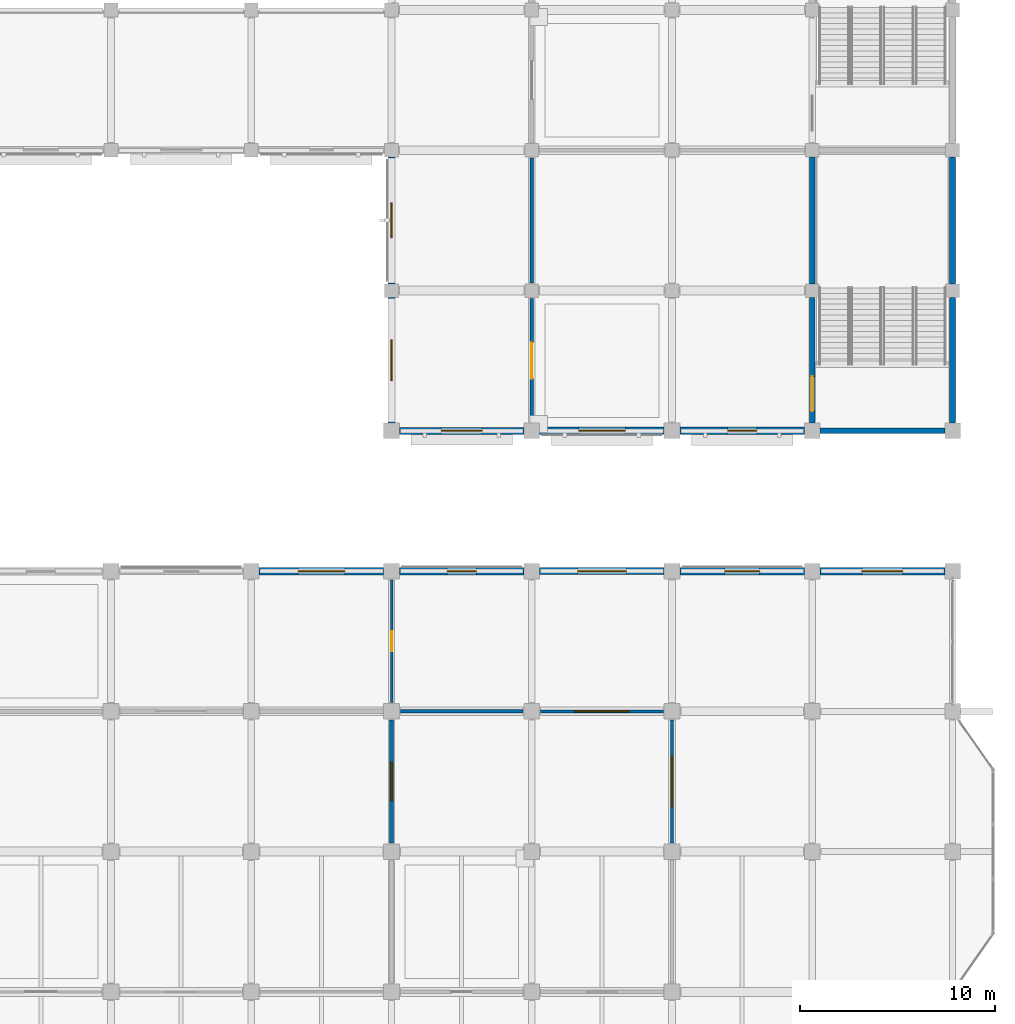
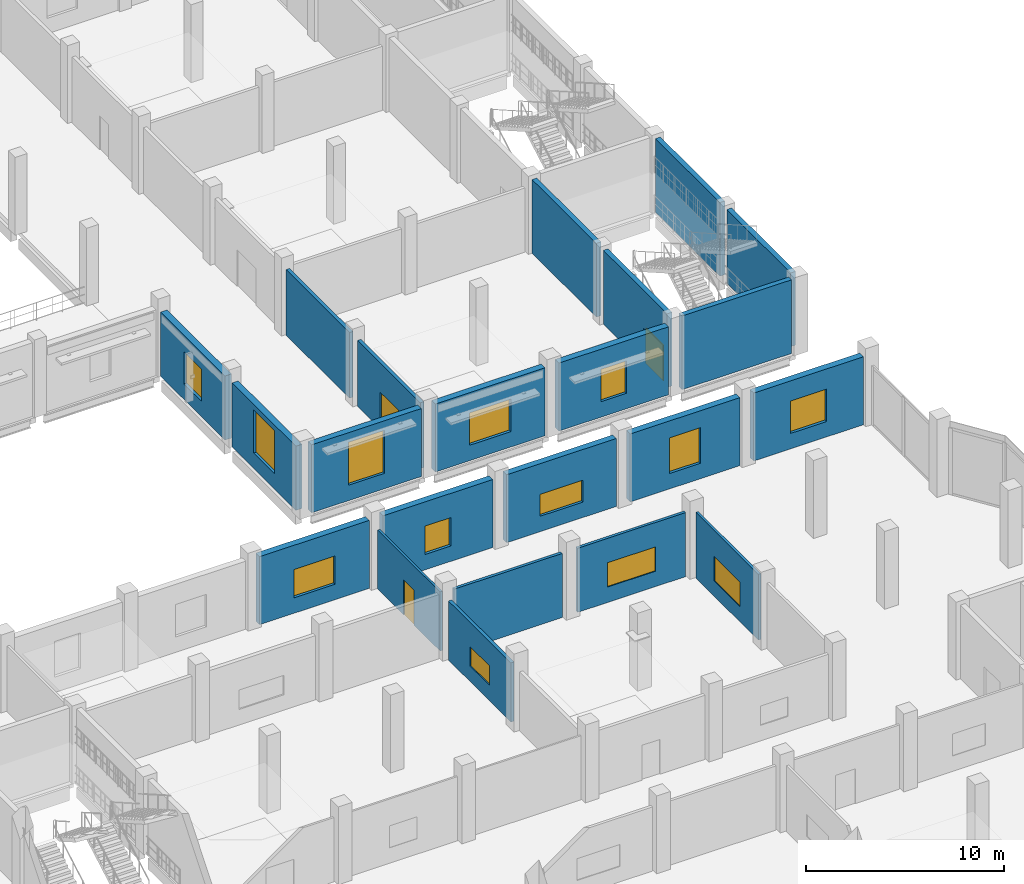
# One storey, part 70 of 99: 22 walls, 13 windows, 3 doors, 16 openings.
"""IFC4 building model written with IfcOpenShell, lengths in metres."""

from ifc_helpers import new_model, si_unit, direction, frame, frame_2d, origin, place, context, subcontext, project, spatial, rectangle, extrude, material, layer, layer_set, type_object, element, fill, save


model = new_model("IFC4")

# Units and contexts
model_context = context("Model", 3, precision=1e-05, world=origin(), true_north=direction((0.0, 1.0)))
body_context = subcontext(model_context, "Body", "Model", "MODEL_VIEW")
ifc_project = project(units=[si_unit("LENGTHUNIT", "METRE"), si_unit("AREAUNIT", "SQUARE_METRE"), si_unit("VOLUMEUNIT", "CUBIC_METRE"), si_unit("PLANEANGLEUNIT", "RADIAN"), si_unit("MASSUNIT", "GRAM", prefix="KILO")], contexts=[model_context])

# Site, building, storey
site_placement = place(None, origin())
site = spatial("IfcSite", under=ifc_project, at=site_placement, CompositionType="ELEMENT")
building_placement = place(site_placement, origin())
building = spatial("IfcBuilding", under=site, at=building_placement, Name="Vesperath Aquatics Centre", CompositionType="ELEMENT")
storey_placement = place(building_placement, frame((0.0, 0.0, 5.39990234375)))
storey = spatial("IfcBuildingStorey", under=building, at=storey_placement, Name="L01", CompositionType="ELEMENT", Elevation=5.39990234375)

# Wall, opening, window
ifc_material_1 = material(Name="Red-terracotta brick insulated cavity wall", Category="masonry")
ifc_layer_1 = layer(ifc_material_1, 0.3798828125)
ifc_layer_set_1 = layer_set([ifc_layer_1], Name="Red-terracotta brick insulated cavity wall")
wall_type_1 = type_object("IfcWallType", Name="WL-EW02", PredefinedType="SOLIDWALL", material=ifc_layer_set_1)
wall_1_placement = place(storey_placement, frame((137.199951171875, 43.199951171875, 0.0), z_axis=(0.0, 0.0, 1.0), x_axis=(1.0, 0.0, 0.0)))
wall_1 = element("IfcWall", 1, at=wall_1_placement, inside=storey, type_object=wall_type_1, Name="Exterior Wall EW02 L01_N_19_06", PredefinedType="SOLIDWALL", context=body_context, shape_type="SweptSolid", body=[
    extrude(rectangle(XDim=6.400146484375, YDim=0.3798828125, at=frame_2d((3.2001953125, 0.0))), origin(), (0.0, 0.0, 1.0), 4.190185546875),
])
opening_1_placement = place(wall_1_placement, frame((2.0, 0.0, 0.949951171875)))
opening_1 = element("IfcOpeningElement", 2, at=opening_1_placement, cuts=wall_1, Name="Opening W10", PredefinedType="OPENING", context=body_context, shape_type="SweptSolid", body=[
    extrude(rectangle(XDim=2.39990234375, YDim=1.75, at=frame_2d((1.199951171875, 0.875))), frame((0.0, 0.204833984375, 0.0), z_axis=(0.0, -1.0, 0.0), x_axis=(1.0, 0.0, 0.0)), (0.0, 0.0, 1.0), 0.40966796875),
])
ifc_material_2 = material(Name="Thermally broken aluminium triple-glazed window", Category="aluminium")
window_type_1 = type_object("IfcWindowType", Name="WN-W10", PartitioningType="SINGLE_PANEL", PredefinedType="WINDOW", material=ifc_material_2)
window_1_placement = place(opening_1_placement, origin())
window_1 = element("IfcWindow", 3, at=window_1_placement, inside=storey, type_object=window_type_1, Name="Deep-Reveal Casement Window W10 L01_N_19_06", OverallHeight=1.75, OverallWidth=2.39990234375, PartitioningType="SINGLE_PANEL", PredefinedType="WINDOW", context=body_context, shape_type="SweptSolid", body=[
    extrude(rectangle(XDim=2.39990234375, YDim=1.75, at=frame_2d((1.199951171875, 0.875))), frame((0.0, 0.030029296875, 0.0), z_axis=(0.0, -1.0, 0.0), x_axis=(1.0, 0.0, 0.0)), (0.0, 0.0, 1.0), 0.06005859375),
])
fill(opening_1, window_1)

wall_2_placement = place(storey_placement, frame((144.39990234375, 43.199951171875, 0.0), z_axis=(0.0, 0.0, 1.0), x_axis=(1.0, 0.0, 0.0)))
wall_2 = element("IfcWall", 4, at=wall_2_placement, inside=storey, type_object=wall_type_1, Name="Exterior Wall EW02 L01_N_20_06", PredefinedType="SOLIDWALL", context=body_context, shape_type="SweptSolid", body=[
    extrude(rectangle(XDim=6.400146484375, YDim=0.3798828125, at=frame_2d((3.2001953125, 0.0))), origin(), (0.0, 0.0, 1.0), 4.190185546875),
])
opening_2_placement = place(wall_2_placement, frame((2.449951171875, 0.0, 0.949951171875)))
opening_2 = element("IfcOpeningElement", 5, at=opening_2_placement, cuts=wall_2, Name="Opening W13", PredefinedType="OPENING", context=body_context, shape_type="SweptSolid", body=[
    extrude(rectangle(XDim=1.5, YDim=1.75, at=frame_2d((0.75, 0.875))), frame((0.0, 0.204833984375, 0.0), z_axis=(0.0, -1.0, 0.0), x_axis=(1.0, 0.0, 0.0)), (0.0, 0.0, 1.0), 0.40966796875),
])
window_type_2 = type_object("IfcWindowType", Name="WN-W13", PartitioningType="SINGLE_PANEL", PredefinedType="WINDOW", material=ifc_material_2)
window_2_placement = place(opening_2_placement, origin())
window_2 = element("IfcWindow", 6, at=window_2_placement, inside=storey, type_object=window_type_2, Name="Deep-Reveal Casement Window W13 L01_N_20_06", OverallHeight=1.75, OverallWidth=1.5, PartitioningType="SINGLE_PANEL", PredefinedType="WINDOW", context=body_context, shape_type="SweptSolid", body=[
    extrude(rectangle(XDim=1.5, YDim=1.75, at=frame_2d((0.75, 0.875))), frame((0.0, 0.030029296875, 0.0), z_axis=(0.0, -1.0, 0.0), x_axis=(1.0, 0.0, 0.0)), (0.0, 0.0, 1.0), 0.06005859375),
])
fill(opening_2, window_2)

wall_3_placement = place(storey_placement, frame((158.800048828125, 43.199951171875, 0.0), z_axis=(0.0, 0.0, 1.0), x_axis=(1.0, 0.0, 0.0)))
wall_3 = element("IfcWall", 7, at=wall_3_placement, inside=storey, type_object=wall_type_1, Name="Exterior Wall EW02 L01_N_22_06", PredefinedType="SOLIDWALL", context=body_context, shape_type="SweptSolid", body=[
    extrude(rectangle(XDim=6.39990234375, YDim=0.3798828125, at=frame_2d((3.199951171875, 0.0))), origin(), (0.0, 0.0, 1.0), 4.190185546875),
])
opening_3_placement = place(wall_3_placement, frame((2.300048828125, 0.0, 0.949951171875)))
opening_3 = element("IfcOpeningElement", 8, at=opening_3_placement, cuts=wall_3, Name="Opening W03", PredefinedType="OPENING", context=body_context, shape_type="SweptSolid", body=[
    extrude(rectangle(XDim=1.800048828125, YDim=2.199951171875, at=frame_2d((0.89990234375, 1.10009765625))), frame((0.0, 0.204833984375, 0.0), z_axis=(0.0, -1.0, 0.0), x_axis=(1.0, 0.0, 0.0)), (0.0, 0.0, 1.0), 0.40966796875),
])
window_type_3 = type_object("IfcWindowType", Name="WN-W03", PartitioningType="SINGLE_PANEL", PredefinedType="WINDOW", material=ifc_material_2)
window_3_placement = place(opening_3_placement, origin())
window_3 = element("IfcWindow", 9, at=window_3_placement, inside=storey, type_object=window_type_3, Name="Deep-Reveal Casement Window W03 L01_N_22_06", OverallHeight=2.199951171875, OverallWidth=1.800048828125, PartitioningType="SINGLE_PANEL", PredefinedType="WINDOW", context=body_context, shape_type="SweptSolid", body=[
    extrude(rectangle(XDim=1.800048828125, YDim=2.199951171875, at=frame_2d((0.89990234375, 1.10009765625))), frame((0.0, 0.030029296875, 0.0), z_axis=(0.0, -1.0, 0.0), x_axis=(1.0, 0.0, 0.0)), (0.0, 0.0, 1.0), 0.06005859375),
])
fill(opening_3, window_3)

wall_4_placement = place(storey_placement, frame((166.0, 43.199951171875, 0.0), z_axis=(0.0, 0.0, 1.0), x_axis=(1.0, 0.0, 0.0)))
wall_4 = element("IfcWall", 10, at=wall_4_placement, inside=storey, type_object=wall_type_1, Name="Exterior Wall EW02 L01_N_23_06", PredefinedType="SOLIDWALL", context=body_context, shape_type="SweptSolid", body=[
    extrude(rectangle(XDim=6.39990234375, YDim=0.3798828125, at=frame_2d((3.199951171875, 0.0))), origin(), (0.0, 0.0, 1.0), 4.190185546875),
])
opening_4_placement = place(wall_4_placement, frame((2.14990234375, 0.0, 0.949951171875)))
opening_4 = element("IfcOpeningElement", 11, at=opening_4_placement, cuts=wall_4, Name="Opening W06", PredefinedType="OPENING", context=body_context, shape_type="SweptSolid", body=[
    extrude(rectangle(XDim=2.10009765625, YDim=2.0, at=frame_2d((1.050048828125, 1.0))), frame((0.0, 0.204833984375, 0.0), z_axis=(0.0, -1.0, 0.0), x_axis=(1.0, 0.0, 0.0)), (0.0, 0.0, 1.0), 0.40966796875),
])
window_type_4 = type_object("IfcWindowType", Name="WN-W06", PartitioningType="SINGLE_PANEL", PredefinedType="WINDOW", material=ifc_material_2)
window_4_placement = place(opening_4_placement, origin())
window_4 = element("IfcWindow", 12, at=window_4_placement, inside=storey, type_object=window_type_4, Name="Deep-Reveal Casement Window W06 L01_N_23_06", OverallHeight=2.0, OverallWidth=2.10009765625, PartitioningType="SINGLE_PANEL", PredefinedType="WINDOW", context=body_context, shape_type="SweptSolid", body=[
    extrude(rectangle(XDim=2.10009765625, YDim=2.0, at=frame_2d((1.050048828125, 1.0))), frame((0.0, 0.030029296875, 0.0), z_axis=(0.0, -1.0, 0.0), x_axis=(1.0, 0.0, 0.0)), (0.0, 0.0, 1.0), 0.06005859375),
])
fill(opening_4, window_4)

wall_5_placement = place(storey_placement, frame((151.60009765625, 50.39990234375, 0.0), z_axis=(0.0, 0.0, 1.0), x_axis=(1.0, 0.0, 0.0)))
wall_5 = element("IfcWall", 13, at=wall_5_placement, inside=storey, type_object=wall_type_1, Name="Exterior Wall EW02 L01_S_21_07", PredefinedType="SOLIDWALL", context=body_context, shape_type="SweptSolid", body=[
    extrude(rectangle(XDim=6.39990234375, YDim=0.3798828125, at=frame_2d((3.199951171875, 0.0))), origin(), (0.0, 0.0, 1.0), 4.190185546875),
])
opening_5_placement = place(wall_5_placement, frame((2.0, 0.0, 0.949951171875)))
opening_5 = element("IfcOpeningElement", 14, at=opening_5_placement, cuts=wall_5, Name="Opening W05", PredefinedType="OPENING", context=body_context, shape_type="SweptSolid", body=[
    extrude(rectangle(XDim=2.39990234375, YDim=2.0, at=frame_2d((1.199951171875, 1.0))), frame((0.0, 0.204833984375, 0.0), z_axis=(0.0, -1.0, 0.0), x_axis=(1.0, 0.0, 0.0)), (0.0, 0.0, 1.0), 0.40966796875),
])
window_type_5 = type_object("IfcWindowType", Name="WN-W05", PartitioningType="SINGLE_PANEL", PredefinedType="WINDOW", material=ifc_material_2)
window_5_placement = place(opening_5_placement, origin())
window_5 = element("IfcWindow", 15, at=window_5_placement, inside=storey, type_object=window_type_5, Name="Deep-Reveal Casement Window W05 L01_S_21_07", OverallHeight=2.0, OverallWidth=2.39990234375, PartitioningType="SINGLE_PANEL", PredefinedType="WINDOW", context=body_context, shape_type="SweptSolid", body=[
    extrude(rectangle(XDim=2.39990234375, YDim=2.0, at=frame_2d((1.199951171875, 1.0))), frame((0.0, 0.030029296875, 0.0), z_axis=(0.0, -1.0, 0.0), x_axis=(1.0, 0.0, 0.0)), (0.0, 0.0, 1.0), 0.06005859375),
])
fill(opening_5, window_5)

wall_6_placement = place(storey_placement, frame((158.800048828125, 50.39990234375, 0.0), z_axis=(0.0, 0.0, 1.0), x_axis=(1.0, 0.0, 0.0)))
wall_6 = element("IfcWall", 16, at=wall_6_placement, inside=storey, type_object=wall_type_1, Name="Exterior Wall EW02 L01_S_22_07", PredefinedType="SOLIDWALL", context=body_context, shape_type="SweptSolid", body=[
    extrude(rectangle(XDim=6.39990234375, YDim=0.3798828125, at=frame_2d((3.199951171875, 0.0))), origin(), (0.0, 0.0, 1.0), 4.190185546875),
])
opening_6_placement = place(wall_6_placement, frame((2.449951171875, 0.0, 0.949951171875)))
opening_6 = element("IfcOpeningElement", 17, at=opening_6_placement, cuts=wall_6, Name="Opening W08", PredefinedType="OPENING", context=body_context, shape_type="SweptSolid", body=[
    extrude(rectangle(XDim=1.5, YDim=2.0, at=frame_2d((0.75, 1.0))), frame((0.0, 0.204833984375, 0.0), z_axis=(0.0, -1.0, 0.0), x_axis=(1.0, 0.0, 0.0)), (0.0, 0.0, 1.0), 0.40966796875),
])
window_type_6 = type_object("IfcWindowType", Name="WN-W08", PartitioningType="SINGLE_PANEL", PredefinedType="WINDOW", material=ifc_material_2)
window_6_placement = place(opening_6_placement, origin())
window_6 = element("IfcWindow", 18, at=window_6_placement, inside=storey, type_object=window_type_6, Name="Deep-Reveal Casement Window W08 L01_S_22_07", OverallHeight=2.0, OverallWidth=1.5, PartitioningType="SINGLE_PANEL", PredefinedType="WINDOW", context=body_context, shape_type="SweptSolid", body=[
    extrude(rectangle(XDim=1.5, YDim=2.0, at=frame_2d((0.75, 1.0))), frame((0.0, 0.030029296875, 0.0), z_axis=(0.0, -1.0, 0.0), x_axis=(1.0, 0.0, 0.0)), (0.0, 0.0, 1.0), 0.06005859375),
])
fill(opening_6, window_6)

wall_7_placement = place(storey_placement, frame((144.0, 57.949951171875, 0.0), z_axis=(0.0, 0.0, 1.0), x_axis=(0.0, 1.0, 0.0)))
wall_7 = element("IfcWall", 19, at=wall_7_placement, inside=storey, type_object=wall_type_1, Name="Exterior Wall EW02 L01_W_20_08", PredefinedType="SOLIDWALL", context=body_context, shape_type="SweptSolid", body=[
    extrude(rectangle(XDim=6.5, YDim=0.3798828125, at=frame_2d((3.25, 0.0))), origin(), (0.0, 0.0, 1.0), 3.9521484375),
])
opening_7_placement = place(wall_7_placement, frame((2.35009765625, 0.0, 0.949951171875)))
opening_7 = element("IfcOpeningElement", 20, at=opening_7_placement, cuts=wall_7, Name="Opening W07", PredefinedType="OPENING", context=body_context, shape_type="SweptSolid", body=[
    extrude(rectangle(XDim=1.800048828125, YDim=2.0, at=frame_2d((0.89990234375, 1.0))), frame((0.0, 0.204833984375, 0.0), z_axis=(0.0, -1.0, 0.0), x_axis=(1.0, 0.0, 0.0)), (0.0, 0.0, 1.0), 0.40966796875),
])
window_type_7 = type_object("IfcWindowType", Name="WN-W07", PartitioningType="SINGLE_PANEL", PredefinedType="WINDOW", material=ifc_material_2)
window_7_placement = place(opening_7_placement, origin())
window_7 = element("IfcWindow", 21, at=window_7_placement, inside=storey, type_object=window_type_7, Name="Deep-Reveal Casement Window W07 L01_W_20_08", OverallHeight=2.0, OverallWidth=1.800048828125, PartitioningType="SINGLE_PANEL", PredefinedType="WINDOW", context=body_context, shape_type="SweptSolid", body=[
    extrude(rectangle(XDim=1.800048828125, YDim=2.0, at=frame_2d((0.89990234375, 1.0))), frame((0.0, 0.030029296875, 0.0), z_axis=(0.0, -1.0, 0.0), x_axis=(1.0, 0.0, 0.0)), (0.0, 0.0, 1.0), 0.06005859375),
])
fill(opening_7, window_7)

ifc_material_3 = material(Name="Glazed majolica and brick insulated cavity wall", Category="masonry")
ifc_layer_2 = layer(ifc_material_3, 0.360107421875)
ifc_layer_set_2 = layer_set([ifc_layer_2], Name="Glazed majolica and brick insulated cavity wall")
wall_type_2 = type_object("IfcWallType", Name="WL-EW03", PredefinedType="SOLIDWALL", material=ifc_layer_set_2)
wall_8_placement = place(storey_placement, frame((151.60009765625, 43.199951171875, 0.0), z_axis=(0.0, 0.0, 1.0), x_axis=(1.0, 0.0, 0.0)))
wall_8 = element("IfcWall", 22, at=wall_8_placement, inside=storey, type_object=wall_type_2, Name="Exterior Wall EW03 L01_N_21_06", PredefinedType="SOLIDWALL", context=body_context, shape_type="SweptSolid", body=[
    extrude(rectangle(XDim=6.39990234375, YDim=0.360107421875, at=frame_2d((3.199951171875, 0.0))), origin(), (0.0, 0.0, 1.0), 4.190185546875),
])
opening_8_placement = place(wall_8_placement, frame((1.949951171875, 0.0, 0.949951171875)))
opening_8 = element("IfcOpeningElement", 23, at=opening_8_placement, cuts=wall_8, Name="Opening W16", PredefinedType="OPENING", context=body_context, shape_type="SweptSolid", body=[
    extrude(rectangle(XDim=2.5, YDim=1.35009765625, at=frame_2d((1.25, 0.675048828125))), frame((0.0, 0.19482421875, 0.0), z_axis=(0.0, -1.0, 0.0), x_axis=(1.0, 0.0, 0.0)), (0.0, 0.0, 1.0), 0.389892578125),
])
window_type_8 = type_object("IfcWindowType", Name="WN-W16", PartitioningType="SINGLE_PANEL", PredefinedType="WINDOW", material=ifc_material_2)
window_8_placement = place(opening_8_placement, origin())
window_8 = element("IfcWindow", 24, at=window_8_placement, inside=storey, type_object=window_type_8, Name="Deep-Reveal Casement Window W16 L01_N_21_06", OverallHeight=1.35009765625, OverallWidth=2.5, PartitioningType="SINGLE_PANEL", PredefinedType="WINDOW", context=body_context, shape_type="SweptSolid", body=[
    extrude(rectangle(XDim=2.5, YDim=1.35009765625, at=frame_2d((1.25, 0.675048828125))), frame((0.0, 0.030029296875, 0.0), z_axis=(0.0, -1.0, 0.0), x_axis=(1.0, 0.0, 0.0)), (0.0, 0.0, 1.0), 0.06005859375),
])
fill(opening_8, window_8)

wall_9_placement = place(storey_placement, frame((144.39990234375, 50.39990234375, 0.0), z_axis=(0.0, 0.0, 1.0), x_axis=(1.0, 0.0, 0.0)))
wall_9 = element("IfcWall", 25, at=wall_9_placement, inside=storey, type_object=wall_type_2, Name="Exterior Wall EW03 L01_S_20_07", PredefinedType="SOLIDWALL", context=body_context, shape_type="SweptSolid", body=[
    extrude(rectangle(XDim=6.400146484375, YDim=0.360107421875, at=frame_2d((3.2001953125, 0.0))), origin(), (0.0, 0.0, 1.0), 4.190185546875),
])
opening_9_placement = place(wall_9_placement, frame((2.14990234375, 0.0, 0.949951171875)))
opening_9 = element("IfcOpeningElement", 26, at=opening_9_placement, cuts=wall_9, Name="Opening W02", PredefinedType="OPENING", context=body_context, shape_type="SweptSolid", body=[
    extrude(rectangle(XDim=2.10009765625, YDim=2.64990234375, at=frame_2d((1.050048828125, 1.324951171875))), frame((0.0, 0.19482421875, 0.0), z_axis=(0.0, -1.0, 0.0), x_axis=(1.0, 0.0, 0.0)), (0.0, 0.0, 1.0), 0.389892578125),
])
window_type_9 = type_object("IfcWindowType", Name="WN-W02", PartitioningType="SINGLE_PANEL", PredefinedType="WINDOW", material=ifc_material_2)
window_9_placement = place(opening_9_placement, origin())
window_9 = element("IfcWindow", 27, at=window_9_placement, inside=storey, type_object=window_type_9, Name="Deep-Reveal Casement Window W02 L01_S_20_07", OverallHeight=2.64990234375, OverallWidth=2.10009765625, PartitioningType="SINGLE_PANEL", PredefinedType="WINDOW", context=body_context, shape_type="SweptSolid", body=[
    extrude(rectangle(XDim=2.10009765625, YDim=2.64990234375, at=frame_2d((1.050048828125, 1.324951171875))), frame((0.0, 0.030029296875, 0.0), z_axis=(0.0, -1.0, 0.0), x_axis=(1.0, 0.0, 0.0)), (0.0, 0.0, 1.0), 0.06005859375),
])
fill(opening_9, window_9)

wall_10_placement = place(storey_placement, frame((144.0, 50.800048828125, 0.0), z_axis=(0.0, 0.0, 1.0), x_axis=(0.0, 1.0, 0.0)))
wall_10 = element("IfcWall", 28, at=wall_10_placement, inside=storey, type_object=wall_type_2, Name="Exterior Wall EW03 L01_W_20_07", PredefinedType="SOLIDWALL", context=body_context, shape_type="SweptSolid", body=[
    extrude(rectangle(XDim=6.449951171875, YDim=0.360107421875, at=frame_2d((3.22509765625, 0.0))), origin(), (0.0, 0.0, 1.0), 3.9521484375),
])
opening_10_placement = place(wall_10_placement, frame((2.175048828125, 0.0, 0.949951171875)))
opening_10 = element("IfcOpeningElement", 29, at=opening_10_placement, cuts=wall_10, Name="Opening W02", PredefinedType="OPENING", context=body_context, shape_type="SweptSolid", body=[
    extrude(rectangle(XDim=2.10009765625, YDim=2.64990234375, at=frame_2d((1.050048828125, 1.324951171875))), frame((0.0, 0.19482421875, 0.0), z_axis=(0.0, -1.0, 0.0), x_axis=(1.0, 0.0, 0.0)), (0.0, 0.0, 1.0), 0.389892578125),
])
window_10_placement = place(opening_10_placement, origin())
window_10 = element("IfcWindow", 30, at=window_10_placement, inside=storey, type_object=window_type_9, Name="Deep-Reveal Casement Window W02 L01_W_20_07", OverallHeight=2.64990234375, OverallWidth=2.10009765625, PartitioningType="SINGLE_PANEL", PredefinedType="WINDOW", context=body_context, shape_type="SweptSolid", body=[
    extrude(rectangle(XDim=2.10009765625, YDim=2.64990234375, at=frame_2d((1.050048828125, 1.324951171875))), frame((0.0, 0.030029296875, 0.0), z_axis=(0.0, -1.0, 0.0), x_axis=(1.0, 0.0, 0.0)), (0.0, 0.0, 1.0), 0.06005859375),
])
fill(opening_10, window_10)

# Wall, opening, door
ifc_material_4 = material(Name="Wet-village masonry block wall", Category="masonry")
ifc_layer_3 = layer(ifc_material_4, 0.199951171875)
ifc_layer_set_3 = layer_set([ifc_layer_3], Name="Wet-village masonry block wall")
wall_type_3 = type_object("IfcWallType", Name="WL-FW03", PredefinedType="SOLIDWALL", material=ifc_layer_set_3)
wall_11_placement = place(storey_placement, frame((151.199951171875, 50.85009765625, 0.0), z_axis=(0.0, 0.0, 1.0), x_axis=(0.0, 1.0, 0.0)))
wall_11 = element("IfcWall", 31, at=wall_11_placement, inside=storey, type_object=wall_type_3, Name="Interior Partition FW03 L01_TEAM_M-W1", PredefinedType="SOLIDWALL", context=body_context, shape_type="SweptSolid", body=[
    extrude(rectangle(XDim=6.349853515625, YDim=0.199951171875, at=frame_2d((3.1748046875, 0.0))), origin(), (0.0, 0.0, 1.0), 4.052001953125),
])
opening_11_placement = place(wall_11_placement, frame((2.22509765625, 0.0, 0.0)))
opening_11 = element("IfcOpeningElement", 32, at=opening_11_placement, cuts=wall_11, Name="Opening D15", PredefinedType="OPENING", context=body_context, shape_type="SweptSolid", body=[
    extrude(rectangle(XDim=1.85009765625, YDim=2.25, at=frame_2d((0.925048828125, 1.125))), frame((0.0, 0.11474609375, 0.0), z_axis=(0.0, -1.0, 0.0), x_axis=(1.0, 0.0, 0.0)), (0.0, 0.0, 1.0), 0.229736328125),
])
ifc_material_5 = material(Name="Pool equipment store double door", Category="steel")
door_type_1 = type_object("IfcDoorType", Name="DR-RM07", OperationType="DOUBLE_SWING_LEFT", PredefinedType="DOOR", material=ifc_material_5)
door_1_placement = place(opening_11_placement, frame((1.85009765625, 0.0, 0.0), z_axis=(0.0, 0.0, 1.0), x_axis=(-1.0, 0.0, 0.0)))
door_1 = element("IfcDoor", 33, at=door_1_placement, inside=storey, type_object=door_type_1, Name="Visiting Team Male Changing Room Door D15", OperationType="DOUBLE_SWING_LEFT", OverallHeight=2.25, OverallWidth=1.85009765625, PredefinedType="DOOR", context=body_context, shape_type="SweptSolid", body=[
    extrude(rectangle(XDim=1.85009765625, YDim=2.25, at=frame_2d((0.925048828125, 1.125))), frame((0.0, 0.02490234375, 0.0), z_axis=(0.0, -1.0, 0.0), x_axis=(1.0, 0.0, 0.0)), (0.0, 0.0, 1.0), 0.050048828125),
])
fill(opening_11, door_1)

# Wall
wall_12_placement = place(storey_placement, frame((151.199951171875, 58.0, 0.0), z_axis=(0.0, 0.0, 1.0), x_axis=(0.0, 1.0, 0.0)))
element("IfcWall", 34, at=wall_12_placement, inside=storey, type_object=wall_type_3, Name="Interior Partition FW03 L01_TEAM_M-W2", PredefinedType="SOLIDWALL", context=body_context, shape_type="SweptSolid", body=[
    extrude(rectangle(XDim=6.39990234375, YDim=0.199951171875, at=frame_2d((3.199951171875, 0.0))), origin(), (0.0, 0.0, 1.0), 4.052001953125),
])

# Wall, opening, window
ifc_material_6 = material(Name="Plant acoustic masonry wall", Category="masonry")
ifc_layer_4 = layer(ifc_material_6, 0.18994140625)
ifc_layer_set_4 = layer_set([ifc_layer_4], Name="Plant acoustic masonry wall")
wall_type_4 = type_object("IfcWallType", Name="WL-FW04", PredefinedType="SOLIDWALL", material=ifc_layer_set_4)
wall_13_placement = place(storey_placement, frame((144.0, 29.25, 0.0), z_axis=(0.0, 0.0, 1.0), x_axis=(0.0, 1.0, 0.0)))
wall_13 = element("IfcWall", 35, at=wall_13_placement, inside=storey, type_object=wall_type_4, Name="Interior Partition FW04 L01_TEACH_1-E2", PredefinedType="SOLIDWALL", context=body_context, shape_type="SweptSolid", body=[
    extrude(rectangle(XDim=6.300048828125, YDim=0.18994140625, at=frame_2d((3.14990234375, 0.0))), origin(), (0.0, 0.0, 1.0), 3.64013671875),
])
opening_12_placement = place(wall_13_placement, frame((2.14990234375, 0.0, 0.949951171875)))
opening_12 = element("IfcOpeningElement", 36, at=opening_12_placement, cuts=wall_13, Name="Opening VW11", PredefinedType="OPENING", context=body_context, shape_type="SweptSolid", body=[
    extrude(rectangle(XDim=2.0, YDim=1.199951171875, at=frame_2d((1.0, 0.60009765625))), frame((0.0, 0.10986328125, 0.0), z_axis=(0.0, -1.0, 0.0), x_axis=(1.0, 0.0, 0.0)), (0.0, 0.0, 1.0), 0.2197265625),
])
ifc_material_7 = material(Name="Acoustic laminated interior viewing glazing", Category="glass")
window_type_10 = type_object("IfcWindowType", Name="WN-IW11", PartitioningType="SINGLE_PANEL", PredefinedType="WINDOW", material=ifc_material_7)
window_11_placement = place(opening_12_placement, origin())
window_11 = element("IfcWindow", 37, at=window_11_placement, inside=storey, type_object=window_type_10, Name="Interior Viewing Window VW11 L01_TEACH_1", OverallHeight=1.199951171875, OverallWidth=2.0, PartitioningType="SINGLE_PANEL", PredefinedType="WINDOW", context=body_context, shape_type="SweptSolid", body=[
    extrude(rectangle(XDim=2.0, YDim=1.199951171875, at=frame_2d((1.0, 0.60009765625))), frame((0.0, 0.030029296875, 0.0), z_axis=(0.0, -1.0, 0.0), x_axis=(1.0, 0.0, 0.0)), (0.0, 0.0, 1.0), 0.06005859375),
])
fill(opening_12, window_11)

# Wall
ifc_material_8 = material(Name="Corridor fire-rated gypsum partition", Category="gypsum")
ifc_layer_5 = layer(ifc_material_8, 0.16796875)
ifc_layer_set_5 = layer_set([ifc_layer_5], Name="Corridor fire-rated gypsum partition")
wall_type_5 = type_object("IfcWallType", Name="WL-IW03", PredefinedType="PARTITIONING", material=ifc_layer_set_5)
wall_14_placement = place(storey_placement, frame((144.449951171875, 36.0, 0.0), z_axis=(0.0, 0.0, 1.0), x_axis=(1.0, 0.0, 0.0)))
element("IfcWall", 38, at=wall_14_placement, inside=storey, type_object=wall_type_5, Name="Interior Partition IW03 L01_TEACH_2-N1", PredefinedType="PARTITIONING", context=body_context, shape_type="SweptSolid", body=[
    extrude(rectangle(XDim=6.300048828125, YDim=0.16796875, at=frame_2d((3.14990234375, 0.0))), origin(), (0.0, 0.0, 1.0), 3.9521484375),
])

# Wall, opening, window
ifc_material_9 = material(Name="Clinic acoustic partition", Category="gypsum")
ifc_layer_6 = layer(ifc_material_9, 0.159912109375)
ifc_layer_set_6 = layer_set([ifc_layer_6], Name="Clinic acoustic partition")
wall_type_6 = type_object("IfcWallType", Name="WL-IW04", PredefinedType="PARTITIONING", material=ifc_layer_set_6)
wall_15_placement = place(storey_placement, frame((151.64990234375, 36.0, 0.0), z_axis=(0.0, 0.0, 1.0), x_axis=(1.0, 0.0, 0.0)))
wall_15 = element("IfcWall", 39, at=wall_15_placement, inside=storey, type_object=wall_type_6, Name="Interior Partition IW04 L01_TEACH_2-N2", PredefinedType="PARTITIONING", context=body_context, shape_type="SweptSolid", body=[
    extrude(rectangle(XDim=6.300048828125, YDim=0.159912109375, at=frame_2d((3.14990234375, 0.0))), origin(), (0.0, 0.0, 1.0), 3.9521484375),
])
opening_13_placement = place(wall_15_placement, frame((1.75, 0.0, 0.949951171875)))
opening_13 = element("IfcOpeningElement", 40, at=opening_13_placement, cuts=wall_15, Name="Opening VW01", PredefinedType="OPENING", context=body_context, shape_type="SweptSolid", body=[
    extrude(rectangle(XDim=2.800048828125, YDim=1.5, at=frame_2d((1.39990234375, 0.75))), frame((0.0, 0.0947265625, 0.0), z_axis=(0.0, -1.0, 0.0), x_axis=(1.0, 0.0, 0.0)), (0.0, 0.0, 1.0), 0.189697265625),
])
window_type_11 = type_object("IfcWindowType", Name="WN-IW01", PartitioningType="SINGLE_PANEL", PredefinedType="WINDOW", material=ifc_material_7)
window_12_placement = place(opening_13_placement, origin())
window_12 = element("IfcWindow", 41, at=window_12_placement, inside=storey, type_object=window_type_11, Name="Interior Viewing Window VW01 L01_TEACH_2", OverallHeight=1.5, OverallWidth=2.800048828125, PartitioningType="SINGLE_PANEL", PredefinedType="WINDOW", context=body_context, shape_type="SweptSolid", body=[
    extrude(rectangle(XDim=2.800048828125, YDim=1.5, at=frame_2d((1.39990234375, 0.75))), frame((0.0, 0.030029296875, 0.0), z_axis=(0.0, -1.0, 0.0), x_axis=(1.0, 0.0, 0.0)), (0.0, 0.0, 1.0), 0.06005859375),
])
fill(opening_13, window_12)

ifc_material_10 = material(Name="Classroom acoustic partition", Category="gypsum")
ifc_layer_7 = layer(ifc_material_10, 0.14501953125)
ifc_layer_set_7 = layer_set([ifc_layer_7], Name="Classroom acoustic partition")
wall_type_7 = type_object("IfcWallType", Name="WL-IW06", PredefinedType="PARTITIONING", material=ifc_layer_set_7)
wall_16_placement = place(storey_placement, frame((158.39990234375, 29.25, 0.0), z_axis=(0.0, 0.0, 1.0), x_axis=(0.0, 1.0, 0.0)))
wall_16 = element("IfcWall", 42, at=wall_16_placement, inside=storey, type_object=wall_type_7, Name="Interior Partition IW06 L01_TEACH_2-E2", PredefinedType="PARTITIONING", context=body_context, shape_type="SweptSolid", body=[
    extrude(rectangle(XDim=6.300048828125, YDim=0.14501953125, at=frame_2d((3.14990234375, 0.0))), origin(), (0.0, 0.0, 1.0), 4.052001953125),
])
opening_14_placement = place(wall_16_placement, frame((1.85009765625, 0.0, 0.949951171875)))
opening_14 = element("IfcOpeningElement", 43, at=opening_14_placement, cuts=wall_16, Name="Opening VW02", PredefinedType="OPENING", context=body_context, shape_type="SweptSolid", body=[
    extrude(rectangle(XDim=2.60009765625, YDim=1.5, at=frame_2d((1.300048828125, 0.75))), frame((0.0, 0.08740234375, 0.0), z_axis=(0.0, -1.0, 0.0), x_axis=(1.0, 0.0, 0.0)), (0.0, 0.0, 1.0), 0.1748046875),
])
window_type_12 = type_object("IfcWindowType", Name="WN-IW02", PartitioningType="SINGLE_PANEL", PredefinedType="WINDOW", material=ifc_material_7)
window_13_placement = place(opening_14_placement, origin())
window_13 = element("IfcWindow", 44, at=window_13_placement, inside=storey, type_object=window_type_12, Name="Interior Viewing Window VW02 L01_TEACH_2", OverallHeight=1.5, OverallWidth=2.60009765625, PartitioningType="SINGLE_PANEL", PredefinedType="WINDOW", context=body_context, shape_type="SweptSolid", body=[
    extrude(rectangle(XDim=2.60009765625, YDim=1.5, at=frame_2d((1.300048828125, 0.75))), frame((0.0, 0.030029296875, 0.0), z_axis=(0.0, -1.0, 0.0), x_axis=(1.0, 0.0, 0.0)), (0.0, 0.0, 1.0), 0.06005859375),
])
fill(opening_14, window_13)

# Wall, opening, door
ifc_material_11 = material(Name="Sanitary plumbing wall", Category="gypsum")
ifc_layer_8 = layer(ifc_material_11, 0.1298828125)
ifc_layer_set_8 = layer_set([ifc_layer_8], Name="Sanitary plumbing wall")
wall_type_8 = type_object("IfcWallType", Name="WL-IW08", PredefinedType="PARTITIONING", material=ifc_layer_set_8)
wall_17_placement = place(storey_placement, frame((144.0, 36.449951171875, 0.0), z_axis=(0.0, 0.0, 1.0), x_axis=(0.0, 1.0, 0.0)))
wall_17 = element("IfcWall", 45, at=wall_17_placement, inside=storey, type_object=wall_type_8, Name="Interior Partition IW08 L01_REHAB_GYM-E1", PredefinedType="PARTITIONING", context=body_context, shape_type="SweptSolid", body=[
    extrude(rectangle(XDim=6.300048828125, YDim=0.1298828125, at=frame_2d((3.14990234375, 0.0))), origin(), (0.0, 0.0, 1.0), 3.64013671875),
])
opening_15_placement = place(wall_17_placement, frame((2.6298828125, 0.0, 0.0)))
opening_15 = element("IfcOpeningElement", 46, at=opening_15_placement, cuts=wall_17, Name="Opening D23", PredefinedType="OPENING", context=body_context, shape_type="SweptSolid", body=[
    extrude(rectangle(XDim=1.0400390625, YDim=2.14990234375, at=frame_2d((0.52001953125, 1.074951171875))), frame((0.0, 0.079833984375, 0.0), z_axis=(0.0, -1.0, 0.0), x_axis=(1.0, 0.0, 0.0)), (0.0, 0.0, 1.0), 0.15966796875),
])
ifc_material_12 = material(Name="Teaching classroom acoustic oak door", Category="wood")
door_type_2 = type_object("IfcDoorType", Name="DR-RM15", OperationType="NOTDEFINED", PredefinedType="DOOR", material=ifc_material_12)
door_2_placement = place(opening_15_placement, origin())
door_2 = element("IfcDoor", 47, at=door_2_placement, inside=storey, type_object=door_type_2, Name="Aquatic Rehabilitation Exercise Studio Door D23", OperationType="SINGLE_SWING_LEFT", OverallHeight=2.14990234375, OverallWidth=1.0400390625, PredefinedType="DOOR", context=body_context, shape_type="SweptSolid", body=[
    extrude(rectangle(XDim=1.0400390625, YDim=2.14990234375, at=frame_2d((0.52001953125, 1.074951171875))), frame((0.0, 0.02490234375, 0.0), z_axis=(0.0, -1.0, 0.0), x_axis=(1.0, 0.0, 0.0)), (0.0, 0.0, 1.0), 0.050048828125),
])
fill(opening_15, door_2)

ifc_material_13 = material(Name="Concrete C40", Category="concrete")
ifc_layer_9 = layer(ifc_material_13, 0.280029296875)
ifc_layer_set_9 = layer_set([ifc_layer_9], Name="Concrete C40")
wall_type_9 = type_object("IfcWallType", Name="WL-SW02", PredefinedType="SHEAR", material=ifc_layer_set_9)
wall_18_placement = place(storey_placement, frame((165.60009765625, 50.800048828125, 0.0), z_axis=(0.0, 0.0, 1.0), x_axis=(0.0, 1.0, 0.0)))
wall_18 = element("IfcWall", 48, at=wall_18_placement, inside=storey, type_object=wall_type_9, Name="Core C12 West-1 Shear Wall SW02 L01", PredefinedType="SHEAR", context=body_context, shape_type="SweptSolid", body=[
    extrude(rectangle(XDim=6.449951171875, YDim=0.280029296875, at=frame_2d((3.22509765625, 0.0))), origin(), (0.0, 0.0, 1.0), 4.5400390625),
])
opening_16_placement = place(wall_18_placement, frame((0.60009765625, 0.0, 0.0)))
opening_16 = element("IfcOpeningElement", 49, at=opening_16_placement, cuts=wall_18, Name="Opening D03", PredefinedType="OPENING", context=body_context, shape_type="SweptSolid", body=[
    extrude(rectangle(XDim=1.800048828125, YDim=2.199951171875, at=frame_2d((0.89990234375, 1.10009765625))), frame((0.0, 0.15478515625, 0.0), z_axis=(0.0, -1.0, 0.0), x_axis=(1.0, 0.0, 0.0)), (0.0, 0.0, 1.0), 0.309814453125),
])
ifc_material_14 = material(Name="Corridor smoke-control double fire door", Category="steel")
door_type_3 = type_object("IfcDoorType", Name="DR-FD03", OperationType="DOUBLE_SWING_LEFT", PredefinedType="DOOR", material=ifc_material_14)
door_3_placement = place(opening_16_placement, frame((1.800048828125, 0.0, 0.0), z_axis=(0.0, 0.0, 1.0), x_axis=(-1.0, 0.0, 0.0)))
door_3 = element("IfcDoor", 50, at=door_3_placement, inside=storey, type_object=door_type_3, Name="Stair ST12 Fire Door D03 L01", OperationType="DOUBLE_SWING_LEFT", OverallHeight=2.199951171875, OverallWidth=1.800048828125, PredefinedType="DOOR", context=body_context, shape_type="SweptSolid", body=[
    extrude(rectangle(XDim=1.800048828125, YDim=2.199951171875, at=frame_2d((0.89990234375, 1.10009765625))), frame((0.0, 0.02490234375, 0.0), z_axis=(0.0, -1.0, 0.0), x_axis=(1.0, 0.0, 0.0)), (0.0, 0.0, 1.0), 0.050048828125),
])
fill(opening_16, door_3)

# Walls
wall_19_placement = place(storey_placement, frame((165.60009765625, 57.949951171875, 0.0), z_axis=(0.0, 0.0, 1.0), x_axis=(0.0, 1.0, 0.0)))
element("IfcWall", 51, at=wall_19_placement, inside=storey, type_object=wall_type_9, Name="Core C12 West-2 Shear Wall SW02 L01", PredefinedType="SHEAR", context=body_context, shape_type="SweptSolid", body=[
    extrude(rectangle(XDim=6.5, YDim=0.280029296875, at=frame_2d((3.25, 0.0))), origin(), (0.0, 0.0, 1.0), 4.5400390625),
])
ifc_layer_10 = layer(ifc_material_13, 0.2900390625)
ifc_layer_set_10 = layer_set([ifc_layer_10], Name="Concrete C40")
wall_type_10 = type_object("IfcWallType", Name="WL-SW06", PredefinedType="SHEAR", material=ifc_layer_set_10)
wall_20_placement = place(storey_placement, frame((166.0, 50.39990234375, 0.0), z_axis=(0.0, 0.0, 1.0), x_axis=(1.0, 0.0, 0.0)))
element("IfcWall", 52, at=wall_20_placement, inside=storey, type_object=wall_type_10, Name="Core C12 South Shear Wall SW06 L01", PredefinedType="SHEAR", context=body_context, shape_type="SweptSolid", body=[
    extrude(rectangle(XDim=6.39990234375, YDim=0.2900390625, at=frame_2d((3.199951171875, 0.0))), origin(), (0.0, 0.0, 1.0), 4.5400390625),
])
wall_21_placement = place(storey_placement, frame((172.800048828125, 50.800048828125, 0.0), z_axis=(0.0, 0.0, 1.0), x_axis=(0.0, 1.0, 0.0)))
element("IfcWall", 53, at=wall_21_placement, inside=storey, type_object=wall_type_10, Name="Core C12 East-1 Shear Wall SW06 L01", PredefinedType="SHEAR", context=body_context, shape_type="SweptSolid", body=[
    extrude(rectangle(XDim=6.449951171875, YDim=0.2900390625, at=frame_2d((3.22509765625, 0.0))), origin(), (0.0, 0.0, 1.0), 4.5400390625),
])
wall_22_placement = place(storey_placement, frame((172.800048828125, 57.949951171875, 0.0), z_axis=(0.0, 0.0, 1.0), x_axis=(0.0, 1.0, 0.0)))
element("IfcWall", 54, at=wall_22_placement, inside=storey, type_object=wall_type_10, Name="Core C12 East-2 Shear Wall SW06 L01", PredefinedType="SHEAR", context=body_context, shape_type="SweptSolid", body=[
    extrude(rectangle(XDim=6.5, YDim=0.2900390625, at=frame_2d((3.25, 0.0))), origin(), (0.0, 0.0, 1.0), 4.5400390625),
])

save(model, "model.ifc")
